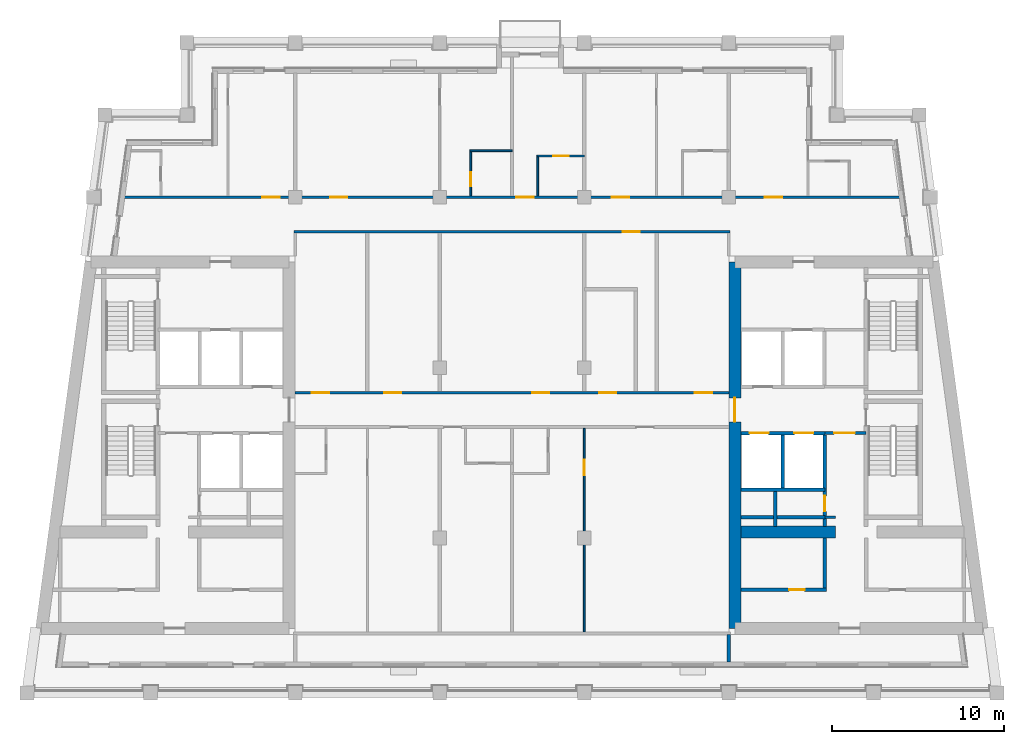
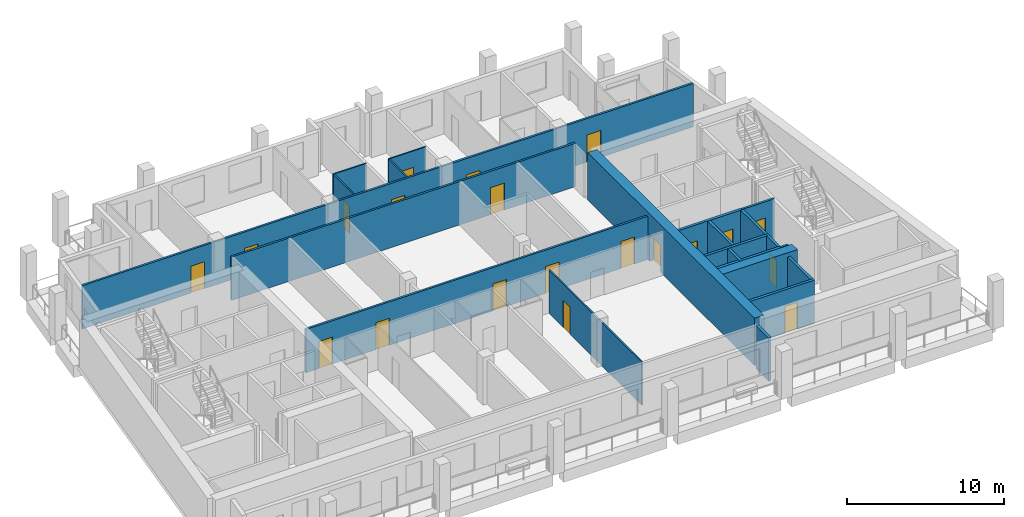
# One storey, part 4 of 13: 21 walls, 20 doors, 20 openings.
"""IFC4 building model written with IfcOpenShell, lengths in metres."""

from ifc_helpers import new_model, si_unit, direction, frame, frame_2d, origin, place, context, subcontext, project, spatial, rectangle, extrude, material, layer, layer_set, type_object, element, fill, save


model = new_model("IFC4")

# Units and contexts
model_context = context("Model", 3, precision=1e-05, world=origin(), true_north=direction((0.0, 1.0)))
body_context = subcontext(model_context, "Body", "Model", "MODEL_VIEW")
ifc_project = project(units=[si_unit("LENGTHUNIT", "METRE"), si_unit("AREAUNIT", "SQUARE_METRE"), si_unit("VOLUMEUNIT", "CUBIC_METRE"), si_unit("PLANEANGLEUNIT", "RADIAN"), si_unit("MASSUNIT", "GRAM", prefix="KILO")], contexts=[model_context])

# Site, building, storey
site_placement = place(None, origin())
site = spatial("IfcSite", under=ifc_project, at=site_placement, CompositionType="ELEMENT")
building_placement = place(site_placement, origin())
building = spatial("IfcBuilding", under=site, at=building_placement, Name="Candeia Pilgrim Tower and Theatre", CompositionType="ELEMENT")
storey_placement = place(building_placement, frame((0.0, 0.0, 262.699951171875)))
storey = spatial("IfcBuildingStorey", under=building, at=storey_placement, Name="L63", CompositionType="ELEMENT", Elevation=262.699951171875)

# Wall, opening, door
ifc_material_1 = material(Name="Concrete C40/50", Category="concrete")
ifc_layer_1 = layer(ifc_material_1, 0.699951171875)
ifc_layer_set_1 = layer_set([ifc_layer_1], Name="Core wall 700 C40/50")
wall_type_1 = type_object("IfcWallType", Name="Core wall 700 C40/50", PredefinedType="SHEAR", material=ifc_layer_set_1)
wall_1_placement = place(storey_placement, frame((126.35009765625, 110.75, 0.0), z_axis=(0.0, 0.0, 1.0), x_axis=(0.0, 1.0, 0.0)))
wall_1 = element("IfcWall", 1, at=wall_1_placement, inside=storey, type_object=wall_type_1, Name="Core wall E4", PredefinedType="SHEAR", context=body_context, shape_type="SweptSolid", body=[
    extrude(rectangle(XDim=21.300048828125, YDim=0.699951171875, at=frame_2d((10.64990234375, 0.0))), origin(), (0.0, 0.0, 1.0), 3.699951171875),
])
opening_1_placement = place(wall_1_placement, frame((12.0, 0.0, 0.0)))
opening_1 = element("IfcOpeningElement", 2, at=opening_1_placement, cuts=wall_1, Name="Opening L63-D046", PredefinedType="OPENING", context=body_context, shape_type="SweptSolid", body=[
    extrude(rectangle(XDim=1.39990234375, YDim=2.10009765625, at=frame_2d((0.699951171875, 1.050048828125))), frame((0.0, 0.35986328125, 0.0), z_axis=(0.0, -1.0, 0.0), x_axis=(1.0, 0.0, 0.0)), (0.0, 0.0, 1.0), 0.719970703125),
])
ifc_material_2 = material(Name="Steel fire door set", Category="steel")
door_type_1 = type_object("IfcDoorType", Name="D-1400-FD60", OperationType="NOTDEFINED", PredefinedType="DOOR", material=ifc_material_2)
door_1_placement = place(opening_1_placement, origin())
door_1 = element("IfcDoor", 3, at=door_1_placement, inside=storey, type_object=door_type_1, Name="Door L63-D046", OperationType="SINGLE_SWING_LEFT", OverallHeight=2.10009765625, OverallWidth=1.39990234375, PredefinedType="DOOR", context=body_context, shape_type="SweptSolid", body=[
    extrude(rectangle(XDim=1.39990234375, YDim=2.10009765625, at=frame_2d((0.699951171875, 1.050048828125))), frame((0.0, 0.02490234375, 0.0), z_axis=(0.0, -1.0, 0.0), x_axis=(1.0, 0.0, 0.0)), (0.0, 0.0, 1.0), 0.050048828125),
])
fill(opening_1, door_1)

# Wall
wall_2_placement = place(storey_placement, frame((126.699951171875, 116.35009765625, 0.0), z_axis=(0.0, 0.0, 1.0), x_axis=(1.0, 0.0, 0.0)))
element("IfcWall", 4, at=wall_2_placement, inside=storey, type_object=wall_type_1, Name="Core wall E5", PredefinedType="SHEAR", context=body_context, shape_type="SweptSolid", body=[
    extrude(rectangle(XDim=5.5, YDim=0.699951171875, at=frame_2d((2.75, 0.0))), origin(), (0.0, 0.0, 1.0), 3.699951171875),
])

# Wall, opening, door
ifc_material_3 = material(Name="Gypsum board partition on steel studs", Category="steel")
ifc_layer_2 = layer(ifc_material_3, 0.10009765625)
ifc_layer_set_2 = layer_set([ifc_layer_2], Name="PW-100 room partition")
wall_type_2 = type_object("IfcWallType", Name="PW-100 room partition", PredefinedType="PARTITIONING", material=ifc_layer_set_2)
wall_3_placement = place(storey_placement, frame((114.85009765625, 138.199951171875, 0.0), z_axis=(0.0, 0.0, 1.0), x_axis=(1.0, 0.0, 0.0)))
wall_3 = element("IfcWall", 5, at=wall_3_placement, inside=storey, type_object=wall_type_2, Name="Room partition L63-039", PredefinedType="PARTITIONING", context=body_context, shape_type="SweptSolid", body=[
    extrude(rectangle(XDim=2.75, YDim=0.10009765625, at=frame_2d((1.375, 0.0))), origin(), (0.0, 0.0, 1.0), 3.380126953125),
])
opening_2_placement = place(wall_3_placement, frame((0.949951171875, 0.0, 0.0)))
opening_2 = element("IfcOpeningElement", 6, at=opening_2_placement, cuts=wall_3, Name="Opening L63-D028", PredefinedType="OPENING", context=body_context, shape_type="SweptSolid", body=[
    extrude(rectangle(XDim=0.89990234375, YDim=2.10009765625, at=frame_2d((0.449951171875, 1.050048828125))), frame((0.0, 0.06005859375, 0.0), z_axis=(0.0, -1.0, 0.0), x_axis=(1.0, 0.0, 0.0)), (0.0, 0.0, 1.0), 0.1201171875),
])
ifc_material_4 = material(Name="Timber door leaf", Category="wood")
door_type_2 = type_object("IfcDoorType", Name="D-900", OperationType="NOTDEFINED", PredefinedType="DOOR", material=ifc_material_4)
door_2_placement = place(opening_2_placement, origin())
door_2 = element("IfcDoor", 7, at=door_2_placement, inside=storey, type_object=door_type_2, Name="Door L63-D028", OperationType="SINGLE_SWING_LEFT", OverallHeight=2.10009765625, OverallWidth=0.89990234375, PredefinedType="DOOR", context=body_context, shape_type="SweptSolid", body=[
    extrude(rectangle(XDim=0.89990234375, YDim=2.10009765625, at=frame_2d((0.449951171875, 1.050048828125))), frame((0.0, 0.02490234375, 0.0), z_axis=(0.0, -1.0, 0.0), x_axis=(1.0, 0.0, 0.0)), (0.0, 0.0, 1.0), 0.050048828125),
])
fill(opening_2, door_2)

# Wall
wall_4_placement = place(storey_placement, frame((110.949951171875, 138.5, 0.0), z_axis=(0.0, 0.0, 1.0), x_axis=(1.0, 0.0, 0.0)))
element("IfcWall", 8, at=wall_4_placement, inside=storey, type_object=wall_type_2, Name="Room partition L63-041", PredefinedType="PARTITIONING", context=body_context, shape_type="SweptSolid", body=[
    extrude(rectangle(XDim=2.449951171875, YDim=0.10009765625, at=frame_2d((1.22509765625, 0.0))), origin(), (0.0, 0.0, 1.0), 3.380126953125),
])

# Wall, opening, door
wall_5_placement = place(storey_placement, frame((111.0, 135.875, 0.0), z_axis=(0.0, 0.0, 1.0), x_axis=(0.0, 1.0, 0.0)))
wall_5 = element("IfcWall", 9, at=wall_5_placement, inside=storey, type_object=wall_type_2, Name="Room partition L63-069", PredefinedType="PARTITIONING", context=body_context, shape_type="SweptSolid", body=[
    extrude(rectangle(XDim=2.574951171875, YDim=0.10009765625, at=frame_2d((1.28759765625, 0.0))), origin(), (0.0, 0.0, 1.0), 3.380126953125),
])
opening_3_placement = place(wall_5_placement, frame((0.574951171875, 0.0, 0.0)))
opening_3 = element("IfcOpeningElement", 10, at=opening_3_placement, cuts=wall_5, Name="Opening L63-D026", PredefinedType="OPENING", context=body_context, shape_type="SweptSolid", body=[
    extrude(rectangle(XDim=0.800048828125, YDim=2.10009765625, at=frame_2d((0.39990234375, 1.050048828125))), frame((0.0, 0.06005859375, 0.0), z_axis=(0.0, -1.0, 0.0), x_axis=(1.0, 0.0, 0.0)), (0.0, 0.0, 1.0), 0.1201171875),
])
door_type_3 = type_object("IfcDoorType", Name="D-800", OperationType="NOTDEFINED", PredefinedType="DOOR", material=ifc_material_4)
door_3_placement = place(opening_3_placement, origin())
door_3 = element("IfcDoor", 11, at=door_3_placement, inside=storey, type_object=door_type_3, Name="Door L63-D026", OperationType="SINGLE_SWING_LEFT", OverallHeight=2.10009765625, OverallWidth=0.800048828125, PredefinedType="DOOR", context=body_context, shape_type="SweptSolid", body=[
    extrude(rectangle(XDim=0.800048828125, YDim=2.10009765625, at=frame_2d((0.39990234375, 1.050048828125))), frame((0.0, 0.02490234375, 0.0), z_axis=(0.0, -1.0, 0.0), x_axis=(1.0, 0.0, 0.0)), (0.0, 0.0, 1.0), 0.050048828125),
])
fill(opening_3, door_3)

# Wall
wall_6_placement = place(storey_placement, frame((114.89990234375, 135.875, 0.0), z_axis=(0.0, 0.0, 1.0), x_axis=(0.0, 1.0, 0.0)))
element("IfcWall", 12, at=wall_6_placement, inside=storey, type_object=wall_type_2, Name="Room partition L63-072", PredefinedType="PARTITIONING", context=body_context, shape_type="SweptSolid", body=[
    extrude(rectangle(XDim=2.27490234375, YDim=0.10009765625, at=frame_2d((1.137451171875, 0.0))), origin(), (0.0, 0.0, 1.0), 3.380126953125),
])

# Wall, opening, door
wall_7_placement = place(storey_placement, frame((117.60009765625, 110.550048828125, 0.0), z_axis=(0.0, 0.0, 1.0), x_axis=(0.0, 1.0, 0.0)))
wall_7 = element("IfcWall", 13, at=wall_7_placement, inside=storey, type_object=wall_type_2, Name="Room partition L63-074", PredefinedType="PARTITIONING", context=body_context, shape_type="SweptSolid", body=[
    extrude(rectangle(XDim=11.824951171875, YDim=0.10009765625, at=frame_2d((5.91259765625, 0.0))), origin(), (0.0, 0.0, 1.0), 3.380126953125),
])
opening_4_placement = place(wall_7_placement, frame((9.090087890625, 0.0, 0.0)))
opening_4 = element("IfcOpeningElement", 14, at=opening_4_placement, cuts=wall_7, Name="Opening L63-D019", PredefinedType="OPENING", context=body_context, shape_type="SweptSolid", body=[
    extrude(rectangle(XDim=0.89990234375, YDim=2.10009765625, at=frame_2d((0.449951171875, 1.050048828125))), frame((0.0, 0.06005859375, 0.0), z_axis=(0.0, -1.0, 0.0), x_axis=(1.0, 0.0, 0.0)), (0.0, 0.0, 1.0), 0.1201171875),
])
door_4_placement = place(opening_4_placement, origin())
door_4 = element("IfcDoor", 15, at=door_4_placement, inside=storey, type_object=door_type_2, Name="Door L63-D019", OperationType="SINGLE_SWING_RIGHT", OverallHeight=2.10009765625, OverallWidth=0.89990234375, PredefinedType="DOOR", context=body_context, shape_type="SweptSolid", body=[
    extrude(rectangle(XDim=0.89990234375, YDim=2.10009765625, at=frame_2d((0.449951171875, 1.050048828125))), frame((0.0, 0.02490234375, 0.0), z_axis=(0.0, -1.0, 0.0), x_axis=(1.0, 0.0, 0.0)), (0.0, 0.0, 1.0), 0.050048828125),
])
fill(opening_4, door_4)

# Wall
ifc_layer_3 = layer(ifc_material_3, 0.14990234375)
ifc_layer_set_3 = layer_set([ifc_layer_3], Name="PW-150 lobby wall")
wall_type_3 = type_object("IfcWallType", Name="PW-150 lobby wall", PredefinedType="PARTITIONING", material=ifc_layer_set_3)
wall_8_placement = place(storey_placement, frame((131.572998046875, 117.199951171875, 0.0), z_axis=(0.0, 0.0, 1.0), x_axis=(1.0, 0.0, 0.0)))
element("IfcWall", 16, at=wall_8_placement, inside=storey, type_object=wall_type_3, Name="Lobby wall L63-009", PredefinedType="PARTITIONING", context=body_context, shape_type="SweptSolid", body=[
    extrude(rectangle(XDim=0.626953125, YDim=0.14990234375, at=frame_2d((0.3134765625, 0.0))), origin(), (0.0, 0.0, 1.0), 3.380126953125),
])

# Wall, opening, door
wall_9_placement = place(storey_placement, frame((131.572998046875, 122.10009765625, 0.0), z_axis=(0.0, 0.0, 1.0), x_axis=(1.0, 0.0, 0.0)))
wall_9 = element("IfcWall", 17, at=wall_9_placement, inside=storey, type_object=wall_type_3, Name="Lobby wall L63-020", PredefinedType="PARTITIONING", context=body_context, shape_type="SweptSolid", body=[
    extrude(rectangle(XDim=2.39990234375, YDim=0.14990234375, at=frame_2d((1.199951171875, 0.0))), origin(), (0.0, 0.0, 1.0), 3.380126953125),
])
opening_5_placement = place(wall_9_placement, frame((0.550048828125, 0.0, 0.0)))
opening_5 = element("IfcOpeningElement", 18, at=opening_5_placement, cuts=wall_9, Name="Opening L63-D007", PredefinedType="OPENING", context=body_context, shape_type="SweptSolid", body=[
    extrude(rectangle(XDim=1.199951171875, YDim=2.10009765625, at=frame_2d((0.60009765625, 1.050048828125))), frame((0.0, 0.0849609375, 0.0), z_axis=(0.0, -1.0, 0.0), x_axis=(1.0, 0.0, 0.0)), (0.0, 0.0, 1.0), 0.169921875),
])
door_type_4 = type_object("IfcDoorType", Name="D-1200-FD60", OperationType="NOTDEFINED", PredefinedType="DOOR", material=ifc_material_2)
door_5_placement = place(opening_5_placement, origin())
door_5 = element("IfcDoor", 19, at=door_5_placement, inside=storey, type_object=door_type_4, Name="Door L63-D007", OperationType="SINGLE_SWING_RIGHT", OverallHeight=2.10009765625, OverallWidth=1.199951171875, PredefinedType="DOOR", context=body_context, shape_type="SweptSolid", body=[
    extrude(rectangle(XDim=1.199951171875, YDim=2.10009765625, at=frame_2d((0.60009765625, 1.050048828125))), frame((0.0, 0.02490234375, 0.0), z_axis=(0.0, -1.0, 0.0), x_axis=(1.0, 0.0, 0.0)), (0.0, 0.0, 1.0), 0.050048828125),
])
fill(opening_5, door_5)

# Wall, openings, doors
ifc_layer_4 = layer(ifc_material_3, 0.14990234375)
ifc_layer_set_4 = layer_set([ifc_layer_4], Name="PW-150 unit wall")
wall_type_4 = type_object("IfcWallType", Name="PW-150 unit wall", PredefinedType="PARTITIONING", material=ifc_layer_set_4)
wall_10_placement = place(storey_placement, frame((100.800048828125, 124.449951171875, 0.0), z_axis=(0.0, 0.0, 1.0), x_axis=(1.0, 0.0, 0.0)))
wall_10 = element("IfcWall", 20, at=wall_10_placement, inside=storey, type_object=wall_type_4, Name="Unit wall L63-026", PredefinedType="PARTITIONING", context=body_context, shape_type="SweptSolid", body=[
    extrude(rectangle(XDim=25.199951171875, YDim=0.14990234375, at=frame_2d((12.60009765625, 0.0))), origin(), (0.0, 0.0, 1.0), 3.380126953125),
])
opening_6_placement = place(wall_10_placement, frame((0.97509765625, 0.0, 0.0)))
opening_6 = element("IfcOpeningElement", 21, at=opening_6_placement, cuts=wall_10, Name="Opening L63-D036", PredefinedType="OPENING", context=body_context, shape_type="SweptSolid", body=[
    extrude(rectangle(XDim=1.0, YDim=2.10009765625, at=frame_2d((0.5, 1.050048828125))), frame((0.0, 0.0849609375, 0.0), z_axis=(0.0, -1.0, 0.0), x_axis=(1.0, 0.0, 0.0)), (0.0, 0.0, 1.0), 0.169921875),
])
opening_7_placement = place(wall_10_placement, frame((5.175048828125, 0.0, 0.0)))
opening_7 = element("IfcOpeningElement", 22, at=opening_7_placement, cuts=wall_10, Name="Opening L63-D037", PredefinedType="OPENING", context=body_context, shape_type="SweptSolid", body=[
    extrude(rectangle(XDim=1.0, YDim=2.10009765625, at=frame_2d((0.5, 1.050048828125))), frame((0.0, 0.0849609375, 0.0), z_axis=(0.0, -1.0, 0.0), x_axis=(1.0, 0.0, 0.0)), (0.0, 0.0, 1.0), 0.169921875),
])
opening_8_placement = place(wall_10_placement, frame((13.77490234375, 0.0, 0.0)))
opening_8 = element("IfcOpeningElement", 23, at=opening_8_placement, cuts=wall_10, Name="Opening L63-D038", PredefinedType="OPENING", context=body_context, shape_type="SweptSolid", body=[
    extrude(rectangle(XDim=1.0, YDim=2.10009765625, at=frame_2d((0.5, 1.050048828125))), frame((0.0, 0.0849609375, 0.0), z_axis=(0.0, -1.0, 0.0), x_axis=(1.0, 0.0, 0.0)), (0.0, 0.0, 1.0), 0.169921875),
])
opening_9_placement = place(wall_10_placement, frame((17.669921875, 0.0, 0.0)))
opening_9 = element("IfcOpeningElement", 24, at=opening_9_placement, cuts=wall_10, Name="Opening L63-D039", PredefinedType="OPENING", context=body_context, shape_type="SweptSolid", body=[
    extrude(rectangle(XDim=1.0, YDim=2.10009765625, at=frame_2d((0.5, 1.050048828125))), frame((0.0, 0.0849609375, 0.0), z_axis=(0.0, -1.0, 0.0), x_axis=(1.0, 0.0, 0.0)), (0.0, 0.0, 1.0), 0.169921875),
])
opening_10_placement = place(wall_10_placement, frame((23.22509765625, 0.0, 0.0)))
opening_10 = element("IfcOpeningElement", 25, at=opening_10_placement, cuts=wall_10, Name="Opening L63-D040", PredefinedType="OPENING", context=body_context, shape_type="SweptSolid", body=[
    extrude(rectangle(XDim=1.0, YDim=2.10009765625, at=frame_2d((0.5, 1.050048828125))), frame((0.0, 0.0849609375, 0.0), z_axis=(0.0, -1.0, 0.0), x_axis=(1.0, 0.0, 0.0)), (0.0, 0.0, 1.0), 0.169921875),
])
door_type_5 = type_object("IfcDoorType", Name="D-1000-FD30S", OperationType="NOTDEFINED", PredefinedType="DOOR", material=ifc_material_2)
door_6_placement = place(opening_6_placement, origin())
door_6 = element("IfcDoor", 26, at=door_6_placement, inside=storey, type_object=door_type_5, Name="Door L63-D036", OperationType="SINGLE_SWING_LEFT", OverallHeight=2.10009765625, OverallWidth=1.0, PredefinedType="DOOR", context=body_context, shape_type="SweptSolid", body=[
    extrude(rectangle(XDim=1.0, YDim=2.10009765625, at=frame_2d((0.5, 1.050048828125))), frame((0.0, 0.02490234375, 0.0), z_axis=(0.0, -1.0, 0.0), x_axis=(1.0, 0.0, 0.0)), (0.0, 0.0, 1.0), 0.050048828125),
])
fill(opening_6, door_6)
door_7_placement = place(opening_7_placement, origin())
door_7 = element("IfcDoor", 27, at=door_7_placement, inside=storey, type_object=door_type_5, Name="Door L63-D037", OperationType="SINGLE_SWING_RIGHT", OverallHeight=2.10009765625, OverallWidth=1.0, PredefinedType="DOOR", context=body_context, shape_type="SweptSolid", body=[
    extrude(rectangle(XDim=1.0, YDim=2.10009765625, at=frame_2d((0.5, 1.050048828125))), frame((0.0, 0.02490234375, 0.0), z_axis=(0.0, -1.0, 0.0), x_axis=(1.0, 0.0, 0.0)), (0.0, 0.0, 1.0), 0.050048828125),
])
fill(opening_7, door_7)
door_8_placement = place(opening_8_placement, origin())
door_8 = element("IfcDoor", 28, at=door_8_placement, inside=storey, type_object=door_type_5, Name="Door L63-D038", OperationType="SINGLE_SWING_LEFT", OverallHeight=2.10009765625, OverallWidth=1.0, PredefinedType="DOOR", context=body_context, shape_type="SweptSolid", body=[
    extrude(rectangle(XDim=1.0, YDim=2.10009765625, at=frame_2d((0.5, 1.050048828125))), frame((0.0, 0.02490234375, 0.0), z_axis=(0.0, -1.0, 0.0), x_axis=(1.0, 0.0, 0.0)), (0.0, 0.0, 1.0), 0.050048828125),
])
fill(opening_8, door_8)
door_9_placement = place(opening_9_placement, origin())
door_9 = element("IfcDoor", 29, at=door_9_placement, inside=storey, type_object=door_type_5, Name="Door L63-D039", OperationType="SINGLE_SWING_RIGHT", OverallHeight=2.10009765625, OverallWidth=1.0, PredefinedType="DOOR", context=body_context, shape_type="SweptSolid", body=[
    extrude(rectangle(XDim=1.0, YDim=2.10009765625, at=frame_2d((0.5, 1.050048828125))), frame((0.0, 0.02490234375, 0.0), z_axis=(0.0, -1.0, 0.0), x_axis=(1.0, 0.0, 0.0)), (0.0, 0.0, 1.0), 0.050048828125),
])
fill(opening_9, door_9)
door_10_placement = place(opening_10_placement, origin())
door_10 = element("IfcDoor", 30, at=door_10_placement, inside=storey, type_object=door_type_5, Name="Door L63-D040", OperationType="SINGLE_SWING_LEFT", OverallHeight=2.10009765625, OverallWidth=1.0, PredefinedType="DOOR", context=body_context, shape_type="SweptSolid", body=[
    extrude(rectangle(XDim=1.0, YDim=2.10009765625, at=frame_2d((0.5, 1.050048828125))), frame((0.0, 0.02490234375, 0.0), z_axis=(0.0, -1.0, 0.0), x_axis=(1.0, 0.0, 0.0)), (0.0, 0.0, 1.0), 0.050048828125),
])
fill(opening_10, door_10)

# Wall, opening, door
wall_11_placement = place(storey_placement, frame((100.72509765625, 133.800048828125, 0.0), z_axis=(0.0, 0.0, 1.0), x_axis=(1.0, 0.0, 0.0)))
wall_11 = element("IfcWall", 31, at=wall_11_placement, inside=storey, type_object=wall_type_4, Name="Unit wall L63-036", PredefinedType="PARTITIONING", context=body_context, shape_type="SweptSolid", body=[
    extrude(rectangle(XDim=25.349853515625, YDim=0.14990234375, at=frame_2d((12.6748046875, 0.0))), origin(), (0.0, 0.0, 1.0), 3.380126953125),
])
opening_11_placement = place(wall_11_placement, frame((19.10009765625, 0.0, 0.0)))
opening_11 = element("IfcOpeningElement", 32, at=opening_11_placement, cuts=wall_11, Name="Opening L63-D035", PredefinedType="OPENING", context=body_context, shape_type="SweptSolid", body=[
    extrude(rectangle(XDim=1.0, YDim=2.10009765625, at=frame_2d((0.5, 1.050048828125))), frame((0.0, 0.0849609375, 0.0), z_axis=(0.0, -1.0, 0.0), x_axis=(1.0, 0.0, 0.0)), (0.0, 0.0, 1.0), 0.169921875),
])
door_11_placement = place(opening_11_placement, origin())
door_11 = element("IfcDoor", 33, at=door_11_placement, inside=storey, type_object=door_type_5, Name="Door L63-D035", OperationType="SINGLE_SWING_RIGHT", OverallHeight=2.10009765625, OverallWidth=1.0, PredefinedType="DOOR", context=body_context, shape_type="SweptSolid", body=[
    extrude(rectangle(XDim=1.0, YDim=2.10009765625, at=frame_2d((0.5, 1.050048828125))), frame((0.0, 0.02490234375, 0.0), z_axis=(0.0, -1.0, 0.0), x_axis=(1.0, 0.0, 0.0)), (0.0, 0.0, 1.0), 0.050048828125),
])
fill(opening_11, door_11)

# Wall, openings, doors
wall_12_placement = place(storey_placement, frame((90.89453125, 135.800048828125, 0.0), z_axis=(0.0, 0.0, 1.0), x_axis=(1.0, 0.0, 0.0)))
wall_12 = element("IfcWall", 34, at=wall_12_placement, inside=storey, type_object=wall_type_4, Name="Unit wall L63-037", PredefinedType="PARTITIONING", context=body_context, shape_type="SweptSolid", body=[
    extrude(rectangle(XDim=45.010986328125, YDim=0.14990234375, at=frame_2d((22.50537109375, 0.0))), origin(), (0.0, 0.0, 1.0), 3.380126953125),
])
opening_12_placement = place(wall_12_placement, frame((8.00537109375, 0.0, 0.0)))
opening_12 = element("IfcOpeningElement", 35, at=opening_12_placement, cuts=wall_12, Name="Opening L63-D021", PredefinedType="OPENING", context=body_context, shape_type="SweptSolid", body=[
    extrude(rectangle(XDim=1.0, YDim=2.10009765625, at=frame_2d((0.5, 1.050048828125))), frame((0.0, 0.0849609375, 0.0), z_axis=(0.0, -1.0, 0.0), x_axis=(1.0, 0.0, 0.0)), (0.0, 0.0, 1.0), 0.169921875),
])
opening_13_placement = place(wall_12_placement, frame((11.930419921875, 0.0, 0.0)))
opening_13 = element("IfcOpeningElement", 36, at=opening_13_placement, cuts=wall_12, Name="Opening L63-D024", PredefinedType="OPENING", context=body_context, shape_type="SweptSolid", body=[
    extrude(rectangle(XDim=1.0, YDim=2.10009765625, at=frame_2d((0.5, 1.050048828125))), frame((0.0, 0.0849609375, 0.0), z_axis=(0.0, -1.0, 0.0), x_axis=(1.0, 0.0, 0.0)), (0.0, 0.0, 1.0), 0.169921875),
])
opening_14_placement = place(wall_12_placement, frame((22.75537109375, 0.0, 0.0)))
opening_14 = element("IfcOpeningElement", 37, at=opening_14_placement, cuts=wall_12, Name="Opening L63-D027", PredefinedType="OPENING", context=body_context, shape_type="SweptSolid", body=[
    extrude(rectangle(XDim=1.0, YDim=2.10009765625, at=frame_2d((0.5, 1.050048828125))), frame((0.0, 0.0849609375, 0.0), z_axis=(0.0, -1.0, 0.0), x_axis=(1.0, 0.0, 0.0)), (0.0, 0.0, 1.0), 0.169921875),
])
opening_15_placement = place(wall_12_placement, frame((28.305419921875, 0.0, 0.0)))
opening_15 = element("IfcOpeningElement", 38, at=opening_15_placement, cuts=wall_12, Name="Opening L63-D029", PredefinedType="OPENING", context=body_context, shape_type="SweptSolid", body=[
    extrude(rectangle(XDim=1.0, YDim=2.10009765625, at=frame_2d((0.5, 1.050048828125))), frame((0.0, 0.0849609375, 0.0), z_axis=(0.0, -1.0, 0.0), x_axis=(1.0, 0.0, 0.0)), (0.0, 0.0, 1.0), 0.169921875),
])
opening_16_placement = place(wall_12_placement, frame((37.1953125, 0.0, 0.0)))
opening_16 = element("IfcOpeningElement", 39, at=opening_16_placement, cuts=wall_12, Name="Opening L63-D032", PredefinedType="OPENING", context=body_context, shape_type="SweptSolid", body=[
    extrude(rectangle(XDim=1.0, YDim=2.10009765625, at=frame_2d((0.5, 1.050048828125))), frame((0.0, 0.0849609375, 0.0), z_axis=(0.0, -1.0, 0.0), x_axis=(1.0, 0.0, 0.0)), (0.0, 0.0, 1.0), 0.169921875),
])
door_12_placement = place(opening_12_placement, origin())
door_12 = element("IfcDoor", 40, at=door_12_placement, inside=storey, type_object=door_type_5, Name="Door L63-D021", OperationType="SINGLE_SWING_RIGHT", OverallHeight=2.10009765625, OverallWidth=1.0, PredefinedType="DOOR", context=body_context, shape_type="SweptSolid", body=[
    extrude(rectangle(XDim=1.0, YDim=2.10009765625, at=frame_2d((0.5, 1.050048828125))), frame((0.0, 0.02490234375, 0.0), z_axis=(0.0, -1.0, 0.0), x_axis=(1.0, 0.0, 0.0)), (0.0, 0.0, 1.0), 0.050048828125),
])
fill(opening_12, door_12)
door_13_placement = place(opening_13_placement, origin())
door_13 = element("IfcDoor", 41, at=door_13_placement, inside=storey, type_object=door_type_5, Name="Door L63-D024", OperationType="SINGLE_SWING_LEFT", OverallHeight=2.10009765625, OverallWidth=1.0, PredefinedType="DOOR", context=body_context, shape_type="SweptSolid", body=[
    extrude(rectangle(XDim=1.0, YDim=2.10009765625, at=frame_2d((0.5, 1.050048828125))), frame((0.0, 0.02490234375, 0.0), z_axis=(0.0, -1.0, 0.0), x_axis=(1.0, 0.0, 0.0)), (0.0, 0.0, 1.0), 0.050048828125),
])
fill(opening_13, door_13)
door_14_placement = place(opening_14_placement, origin())
door_14 = element("IfcDoor", 42, at=door_14_placement, inside=storey, type_object=door_type_5, Name="Door L63-D027", OperationType="SINGLE_SWING_RIGHT", OverallHeight=2.10009765625, OverallWidth=1.0, PredefinedType="DOOR", context=body_context, shape_type="SweptSolid", body=[
    extrude(rectangle(XDim=1.0, YDim=2.10009765625, at=frame_2d((0.5, 1.050048828125))), frame((0.0, 0.02490234375, 0.0), z_axis=(0.0, -1.0, 0.0), x_axis=(1.0, 0.0, 0.0)), (0.0, 0.0, 1.0), 0.050048828125),
])
fill(opening_14, door_14)
door_15_placement = place(opening_15_placement, origin())
door_15 = element("IfcDoor", 43, at=door_15_placement, inside=storey, type_object=door_type_5, Name="Door L63-D029", OperationType="SINGLE_SWING_RIGHT", OverallHeight=2.10009765625, OverallWidth=1.0, PredefinedType="DOOR", context=body_context, shape_type="SweptSolid", body=[
    extrude(rectangle(XDim=1.0, YDim=2.10009765625, at=frame_2d((0.5, 1.050048828125))), frame((0.0, 0.02490234375, 0.0), z_axis=(0.0, -1.0, 0.0), x_axis=(1.0, 0.0, 0.0)), (0.0, 0.0, 1.0), 0.050048828125),
])
fill(opening_15, door_15)
door_16_placement = place(opening_16_placement, origin())
door_16 = element("IfcDoor", 44, at=door_16_placement, inside=storey, type_object=door_type_5, Name="Door L63-D032", OperationType="SINGLE_SWING_LEFT", OverallHeight=2.10009765625, OverallWidth=1.0, PredefinedType="DOOR", context=body_context, shape_type="SweptSolid", body=[
    extrude(rectangle(XDim=1.0, YDim=2.10009765625, at=frame_2d((0.5, 1.050048828125))), frame((0.0, 0.02490234375, 0.0), z_axis=(0.0, -1.0, 0.0), x_axis=(1.0, 0.0, 0.0)), (0.0, 0.0, 1.0), 0.050048828125),
])
fill(opening_16, door_16)

# Wall
ifc_layer_5 = layer(ifc_material_3, 0.199951171875)
ifc_layer_set_5 = layer_set([ifc_layer_5], Name="PW-200 party wall")
wall_type_5 = type_object("IfcWallType", Name="PW-200 party wall", PredefinedType="PARTITIONING", material=ifc_layer_set_5)
wall_13_placement = place(storey_placement, frame((126.0, 108.7900390625, 0.0), z_axis=(0.0, 0.0, 1.0), x_axis=(0.0, 1.0, 0.0)))
element("IfcWall", 45, at=wall_13_placement, inside=storey, type_object=wall_type_5, Name="Party wall L63-081", PredefinedType="PARTITIONING", context=body_context, shape_type="SweptSolid", body=[
    extrude(rectangle(XDim=1.60986328125, YDim=0.199951171875, at=frame_2d((0.804931640625, 0.0))), origin(), (0.0, 0.0, 1.0), 3.380126953125),
])

# Wall, opening, door
ifc_layer_6 = layer(ifc_material_1, 0.199951171875)
ifc_layer_set_6 = layer_set([ifc_layer_6], Name="SW-200 shaft wall")
wall_type_6 = type_object("IfcWallType", Name="SW-200 shaft wall", PredefinedType="PARTITIONING", material=ifc_layer_set_6)
wall_14_placement = place(storey_placement, frame((126.699951171875, 113.0, 0.0), z_axis=(0.0, 0.0, 1.0), x_axis=(1.0, 0.0, 0.0)))
wall_14 = element("IfcWall", 46, at=wall_14_placement, inside=storey, type_object=wall_type_6, Name="Shaft wall L63-004", PredefinedType="PARTITIONING", context=body_context, shape_type="SweptSolid", body=[
    extrude(rectangle(XDim=4.97314453125, YDim=0.199951171875, at=frame_2d((2.486572265625, 0.0))), origin(), (0.0, 0.0, 1.0), 3.380126953125),
])
opening_17_placement = place(wall_14_placement, frame((2.804931640625, 0.0, 0.0)))
opening_17 = element("IfcOpeningElement", 47, at=opening_17_placement, cuts=wall_14, Name="Opening L63-D012", PredefinedType="OPENING", context=body_context, shape_type="SweptSolid", body=[
    extrude(rectangle(XDim=0.89990234375, YDim=2.10009765625, at=frame_2d((0.449951171875, 1.050048828125))), frame((0.0, 0.10986328125, 0.0), z_axis=(0.0, -1.0, 0.0), x_axis=(1.0, 0.0, 0.0)), (0.0, 0.0, 1.0), 0.219970703125),
])
door_type_6 = type_object("IfcDoorType", Name="D-900-FD60", OperationType="NOTDEFINED", PredefinedType="DOOR", material=ifc_material_2)
door_17_placement = place(opening_17_placement, origin())
door_17 = element("IfcDoor", 48, at=door_17_placement, inside=storey, type_object=door_type_6, Name="Door L63-D012", OperationType="SINGLE_SWING_LEFT", OverallHeight=2.10009765625, OverallWidth=0.89990234375, PredefinedType="DOOR", context=body_context, shape_type="SweptSolid", body=[
    extrude(rectangle(XDim=0.89990234375, YDim=2.10009765625, at=frame_2d((0.449951171875, 1.050048828125))), frame((0.0, 0.02490234375, 0.0), z_axis=(0.0, -1.0, 0.0), x_axis=(1.0, 0.0, 0.0)), (0.0, 0.0, 1.0), 0.050048828125),
])
fill(opening_17, door_17)

# Walls
for number, where, z_axis, x_axis, name in (
    (49, (126.699951171875, 117.199951171875, 0.0), (0.0, 0.0, 1.0), (1.0, 0.0, 0.0), "Shaft wall L63-007"),
    (50, (126.699951171875, 118.800048828125, 0.0), (0.0, 0.0, 1.0), (1.0, 0.0, 0.0), "Shaft wall L63-013"),
):
    element("IfcWall", number, at=place(storey_placement, frame(where, z_axis=z_axis, x_axis=x_axis)), inside=storey, type_object=wall_type_6, Name=name, PredefinedType="PARTITIONING", context=body_context, shape_type="SweptSolid", body=[
        extrude(rectangle(XDim=4.873046875, YDim=0.199951171875, at=frame_2d((2.4365234375, 0.0))), origin(), (0.0, 0.0, 1.0), 3.380126953125),
    ])

# Wall, openings, doors
wall_15_placement = place(storey_placement, frame((126.699951171875, 122.10009765625, 0.0), z_axis=(0.0, 0.0, 1.0), x_axis=(1.0, 0.0, 0.0)))
wall_15 = element("IfcWall", 51, at=wall_15_placement, inside=storey, type_object=wall_type_6, Name="Shaft wall L63-018", PredefinedType="PARTITIONING", context=body_context, shape_type="SweptSolid", body=[
    extrude(rectangle(XDim=4.873046875, YDim=0.199951171875, at=frame_2d((2.4365234375, 0.0))), origin(), (0.0, 0.0, 1.0), 3.380126953125),
])
opening_18_placement = place(wall_15_placement, frame((3.10498046875, 0.0, 0.0)))
opening_18 = element("IfcOpeningElement", 52, at=opening_18_placement, cuts=wall_15, Name="Opening L63-LD05", PredefinedType="OPENING", context=body_context, shape_type="SweptSolid", body=[
    extrude(rectangle(XDim=1.10009765625, YDim=2.10009765625, at=frame_2d((0.550048828125, 1.050048828125))), frame((0.0, 0.10986328125, 0.0), z_axis=(0.0, -1.0, 0.0), x_axis=(1.0, 0.0, 0.0)), (0.0, 0.0, 1.0), 0.219970703125),
])
opening_19_placement = place(wall_15_placement, frame((0.509033203125, 0.0, 0.0)))
opening_19 = element("IfcOpeningElement", 53, at=opening_19_placement, cuts=wall_15, Name="Opening L63-LD06", PredefinedType="OPENING", context=body_context, shape_type="SweptSolid", body=[
    extrude(rectangle(XDim=1.10009765625, YDim=2.10009765625, at=frame_2d((0.550048828125, 1.050048828125))), frame((0.0, 0.10986328125, 0.0), z_axis=(0.0, -1.0, 0.0), x_axis=(1.0, 0.0, 0.0)), (0.0, 0.0, 1.0), 0.219970703125),
])
ifc_material_5 = material(Name="Glazed aluminium landing door", Category="aluminium")
door_type_7 = type_object("IfcDoorType", Name="LD-1100-EI120", OperationType="SLIDING_TO_LEFT", PredefinedType="DOOR", material=ifc_material_5)
door_18_placement = place(opening_18_placement, origin())
door_18 = element("IfcDoor", 54, at=door_18_placement, inside=storey, type_object=door_type_7, Name="Landing door 05 L63", OperationType="SLIDING_TO_LEFT", OverallHeight=2.10009765625, OverallWidth=1.10009765625, PredefinedType="DOOR", context=body_context, shape_type="SweptSolid", body=[
    extrude(rectangle(XDim=1.10009765625, YDim=2.10009765625, at=frame_2d((0.550048828125, 1.050048828125))), frame((0.0, 0.02490234375, 0.0), z_axis=(0.0, -1.0, 0.0), x_axis=(1.0, 0.0, 0.0)), (0.0, 0.0, 1.0), 0.050048828125),
])
fill(opening_18, door_18)
door_19_placement = place(opening_19_placement, origin())
door_19 = element("IfcDoor", 55, at=door_19_placement, inside=storey, type_object=door_type_7, Name="Landing door 06 L63", OperationType="SLIDING_TO_LEFT", OverallHeight=2.10009765625, OverallWidth=1.10009765625, PredefinedType="DOOR", context=body_context, shape_type="SweptSolid", body=[
    extrude(rectangle(XDim=1.10009765625, YDim=2.10009765625, at=frame_2d((0.550048828125, 1.050048828125))), frame((0.0, 0.02490234375, 0.0), z_axis=(0.0, -1.0, 0.0), x_axis=(1.0, 0.0, 0.0)), (0.0, 0.0, 1.0), 0.050048828125),
])
fill(opening_19, door_19)

# Walls
wall_16_placement = place(storey_placement, frame((128.699951171875, 116.669921875, 0.0), z_axis=(0.0, 0.0, 1.0), x_axis=(0.0, 1.0, 0.0)))
element("IfcWall", 56, at=wall_16_placement, inside=storey, type_object=wall_type_6, Name="Shaft wall L63-084", PredefinedType="PARTITIONING", context=body_context, shape_type="SweptSolid", body=[
    extrude(rectangle(XDim=2.030029296875, YDim=0.199951171875, at=frame_2d((1.01513671875, 0.0))), origin(), (0.0, 0.0, 1.0), 3.380126953125),
])
wall_17_placement = place(storey_placement, frame((129.136474609375, 118.89990234375, 0.0), z_axis=(0.0, 0.0, 1.0), x_axis=(0.0, 1.0, 0.0)))
element("IfcWall", 57, at=wall_17_placement, inside=storey, type_object=wall_type_6, Name="Shaft wall L63-086", PredefinedType="PARTITIONING", context=body_context, shape_type="SweptSolid", body=[
    extrude(rectangle(XDim=3.10009765625, YDim=0.199951171875, at=frame_2d((1.550048828125, 0.0))), origin(), (0.0, 0.0, 1.0), 3.380126953125),
])
wall_18_placement = place(storey_placement, frame((131.572998046875, 113.10009765625, 0.0), z_axis=(0.0, 0.0, 1.0), x_axis=(0.0, 1.0, 0.0)))
element("IfcWall", 58, at=wall_18_placement, inside=storey, type_object=wall_type_6, Name="Shaft wall L63-089", PredefinedType="PARTITIONING", context=body_context, shape_type="SweptSolid", body=[
    extrude(rectangle(XDim=2.89990234375, YDim=0.199951171875, at=frame_2d((1.449951171875, 0.0))), origin(), (0.0, 0.0, 1.0), 3.380126953125),
])

# Wall, opening, door
wall_19_placement = place(storey_placement, frame((131.572998046875, 116.669921875, 0.0), z_axis=(0.0, 0.0, 1.0), x_axis=(0.0, 1.0, 0.0)))
wall_19 = element("IfcWall", 59, at=wall_19_placement, inside=storey, type_object=wall_type_6, Name="Shaft wall L63-090", PredefinedType="PARTITIONING", context=body_context, shape_type="SweptSolid", body=[
    extrude(rectangle(XDim=5.330078125, YDim=0.199951171875, at=frame_2d((2.6650390625, 0.0))), origin(), (0.0, 0.0, 1.0), 3.380126953125),
])
opening_20_placement = place(wall_19_placement, frame((0.8798828125, 0.0, 0.0)))
opening_20 = element("IfcOpeningElement", 60, at=opening_20_placement, cuts=wall_19, Name="Opening L63-D010", PredefinedType="OPENING", context=body_context, shape_type="SweptSolid", body=[
    extrude(rectangle(XDim=0.89990234375, YDim=2.10009765625, at=frame_2d((0.449951171875, 1.050048828125))), frame((0.0, 0.10986328125, 0.0), z_axis=(0.0, -1.0, 0.0), x_axis=(1.0, 0.0, 0.0)), (0.0, 0.0, 1.0), 0.219970703125),
])
door_20_placement = place(opening_20_placement, origin())
door_20 = element("IfcDoor", 61, at=door_20_placement, inside=storey, type_object=door_type_6, Name="Door L63-D010", OperationType="SINGLE_SWING_LEFT", OverallHeight=2.10009765625, OverallWidth=0.89990234375, PredefinedType="DOOR", context=body_context, shape_type="SweptSolid", body=[
    extrude(rectangle(XDim=0.89990234375, YDim=2.10009765625, at=frame_2d((0.449951171875, 1.050048828125))), frame((0.0, 0.02490234375, 0.0), z_axis=(0.0, -1.0, 0.0), x_axis=(1.0, 0.0, 0.0)), (0.0, 0.0, 1.0), 0.050048828125),
])
fill(opening_20, door_20)

save(model, "model.ifc")
